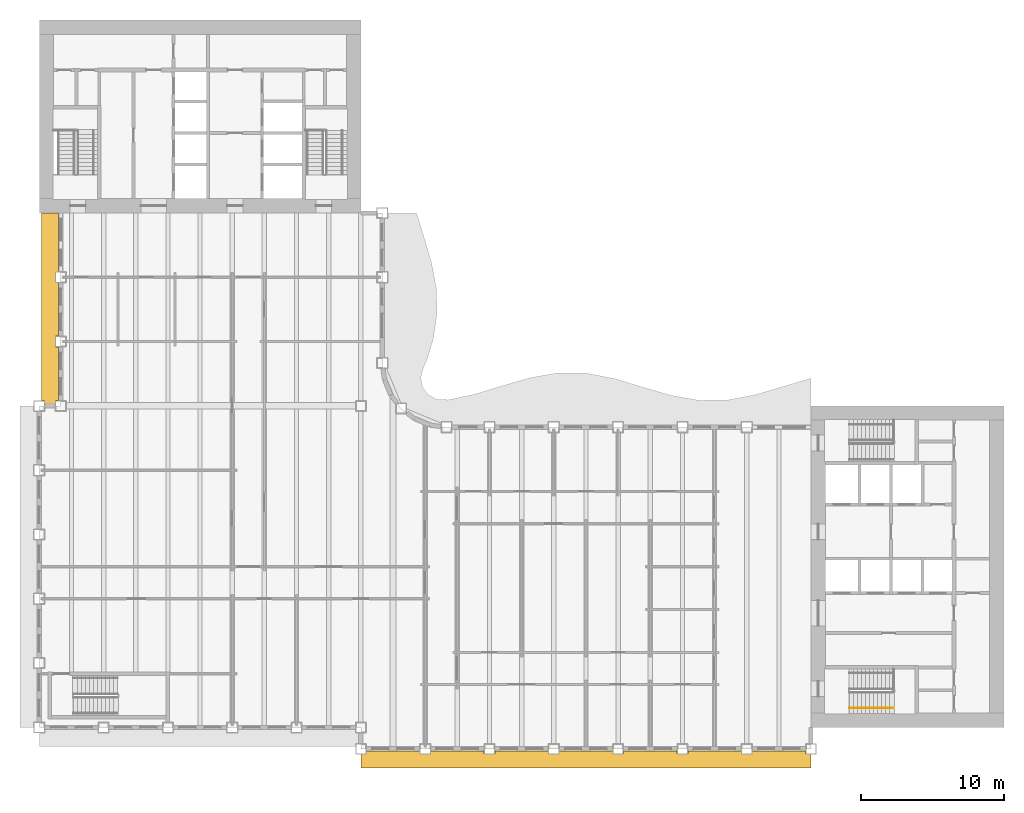
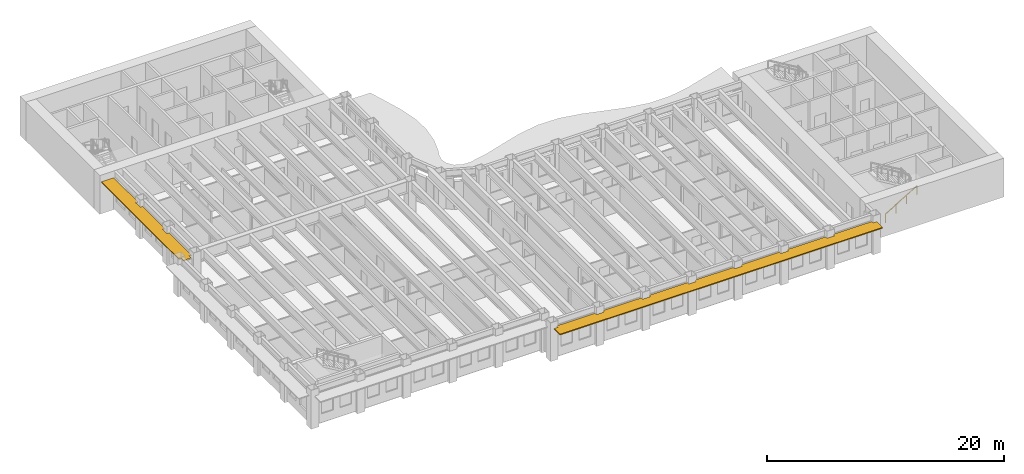
# One storey, part 12 of 16: 2 shading devices, 1 railing.
"""IFC4 building model written with IfcOpenShell, lengths in metres."""

from ifc_helpers import new_model, si_unit, direction, frame, origin, origin_2d, place, context, subcontext, project, spatial, polyline, rectangle, outline, extrude, material, layer, layer_set, type_object, element, save


model = new_model("IFC4")

# Units and contexts
model_context = context("Model", 3, precision=1e-05, world=origin(), true_north=direction((0.0, 1.0)))
body_context = subcontext(model_context, "Body", "Model", "MODEL_VIEW")
ifc_project = project(units=[si_unit("LENGTHUNIT", "METRE"), si_unit("AREAUNIT", "SQUARE_METRE"), si_unit("VOLUMEUNIT", "CUBIC_METRE"), si_unit("PLANEANGLEUNIT", "RADIAN"), si_unit("MASSUNIT", "GRAM", prefix="KILO")], contexts=[model_context])

# Site, building, storey
site_placement = place(None, origin())
site = spatial("IfcSite", under=ifc_project, at=site_placement, CompositionType="ELEMENT")
building_placement = place(site_placement, origin())
building = spatial("IfcBuilding", under=site, at=building_placement, Name="Sennacour Bend Tower", CompositionType="ELEMENT")
storey_placement = place(building_placement, frame((0.0, 0.0, 227.0)))
storey = spatial("IfcBuildingStorey", under=building, at=storey_placement, Name="L52", CompositionType="ELEMENT", Elevation=227.0)

# Railing
ifc_material_1 = material(Name="Stainless steel", Category="steel")
railing_type = type_object("IfcRailingType", Name="RL-HANDRAIL-900", PredefinedType="HANDRAIL", material=ifc_material_1)
railing_placement = place(storey_placement, frame((56.699951171875, 1.35009765625, 0.166748046875)))
element("IfcRailing", 1, at=railing_placement, inside=storey, type_object=railing_type, Name="L52 SA1 stair handrail 1", PredefinedType="HANDRAIL", context=body_context, shape_type="SweptSolid", body=[
    extrude(rectangle(XDim=0.048095703125, YDim=0.048095703125, at=origin_2d()), frame((0.0, 0.0, 0.8759765625), z_axis=(0.859308565015, 0.0, 0.511457515432), x_axis=(0.0, 1.0, 0.0)), (0.0, 0.0, 1.0), 3.58447265625),
    extrude(rectangle(XDim=0.0419921875, YDim=0.0419921875, at=origin_2d()), origin(), (0.0, 0.0, 1.0), 0.851806640625),
    extrude(rectangle(XDim=0.0419921875, YDim=0.0419921875, at=origin_2d()), frame((1.026611328125, 0.0, 0.611083984375)), (0.0, 0.0, 1.0), 0.851806640625),
    extrude(rectangle(XDim=0.0419921875, YDim=0.0419921875, at=origin_2d()), frame((2.053466796875, 0.0, 1.22216796875)), (0.0, 0.0, 1.0), 0.851806640625),
    extrude(rectangle(XDim=0.0419921875, YDim=0.0419921875, at=origin_2d()), frame((3.080078125, 0.0, 1.833251953125)), (0.0, 0.0, 1.0), 0.851806640625),
])

# Shading devices
ifc_material_2 = material(Name="Bronze anodised aluminium", Category="aluminium")
ifc_layer = layer(ifc_material_2, 0.10009765625, Name="Bronze anodised aluminium", Category="aluminium")
ifc_layer_set = layer_set([ifc_layer], Name="Bronze anodised aluminium")
shading_device_type = type_object("IfcShadingDeviceType", Name="SUNSHADE BAND STRAIGHT", PredefinedType="USERDEFINED", material=ifc_layer_set)
shading_device_1_placement = place(storey_placement, frame((0.0, 0.0, 3.056884765625)))
element("IfcShadingDevice", 2, at=shading_device_1_placement, inside=storey, type_object=shading_device_type, Name="Sunshade band L52 A outer face", ObjectType="SUNSHADE", PredefinedType="USERDEFINED", context=body_context, shape_type="SweptSolid", body=[
    extrude(outline(polyline([(26.625, -1.64990234375), (26.625, -1.875), (27.375, -1.875), (27.375, -1.64990234375), (31.125, -1.64990234375), (31.125, -1.875), (31.875, -1.875), (31.875, -1.64990234375), (35.625, -1.64990234375), (35.625, -1.875), (36.375, -1.875), (36.375, -1.64990234375), (40.125, -1.64990234375), (40.125, -1.875), (40.875, -1.875), (40.875, -1.64990234375), (44.625, -1.64990234375), (44.625, -1.875), (45.375, -1.875), (45.375, -1.64990234375), (49.125, -1.64990234375), (49.125, -1.875), (49.875, -1.875), (49.875, -1.64990234375), (53.625, -1.64990234375), (53.625, -1.875), (54.0, -1.875), (54.0, -2.85009765625), (22.5, -2.85009765625), (22.5, -1.875), (22.875, -1.875), (22.875, -1.64990234375), (26.625, -1.64990234375)])), origin(), (0.0, 0.0, 1.0), 0.10009765625),
])
shading_device_2_placement = place(storey_placement, frame((0.0, 0.0, 3.056884765625)))
element("IfcShadingDevice", 3, at=shading_device_2_placement, inside=storey, type_object=shading_device_type, Name="Sunshade band L52 B outer face", ObjectType="SUNSHADE", PredefinedType="USERDEFINED", context=body_context, shape_type="SweptSolid", body=[
    extrude(outline(polyline([(1.35009765625, 31.875), (1.125, 31.875), (1.125, 31.125), (1.35009765625, 31.125), (1.35009765625, 27.375), (1.125, 27.375), (1.125, 26.625), (1.35009765625, 26.625), (1.35009765625, 22.875), (1.125, 22.875), (1.125, 22.5), (0.375, 22.5), (0.375, 22.875), (0.14990234375, 22.875), (0.14990234375, 36.0), (1.35009765625, 36.0), (1.35009765625, 31.875)])), origin(), (0.0, 0.0, 1.0), 0.10009765625),
])

save(model, "model.ifc")
